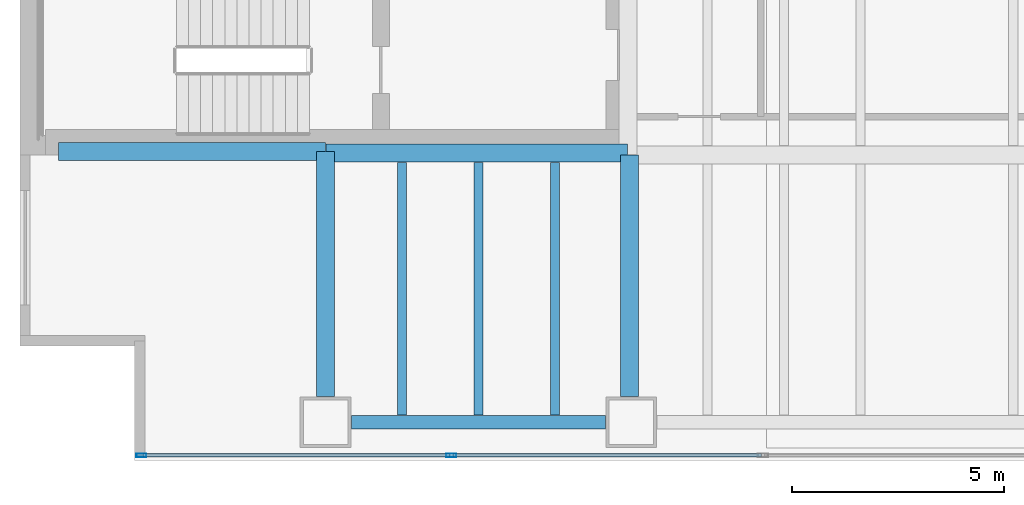
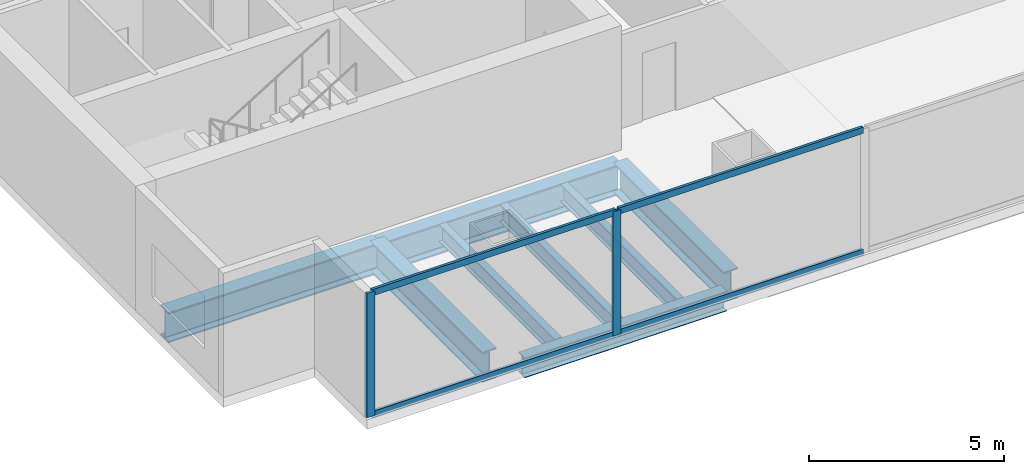
# One storey, part 2 of 34: 8 beams, 6 members, 1 element without a shape of its own.
"""IFC4 building model written with IfcOpenShell, lengths in metres."""

from ifc_helpers import new_model, si_unit, direction, frame, origin, origin_2d, place, context, subcontext, project, spatial, hollow_rectangle, i_section, extrude, material, material_profile, profile_set, type_object, element, aggregate, save


model = new_model("IFC4")

# Units and contexts
model_context = context("Model", 3, precision=1e-05, world=origin(), true_north=direction((0.0, 1.0)))
body_context = subcontext(model_context, "Body", "Model", "MODEL_VIEW")
ifc_project = project(units=[si_unit("LENGTHUNIT", "METRE"), si_unit("AREAUNIT", "SQUARE_METRE"), si_unit("VOLUMEUNIT", "CUBIC_METRE"), si_unit("PLANEANGLEUNIT", "RADIAN"), si_unit("MASSUNIT", "GRAM", prefix="KILO")], contexts=[model_context])

# Site, building, storey
site_placement = place(None, origin())
site = spatial("IfcSite", under=ifc_project, at=site_placement, CompositionType="ELEMENT")
building_placement = place(site_placement, origin())
building = spatial("IfcBuilding", under=site, at=building_placement, Name="Cobrela Telecom Tower", CompositionType="ELEMENT")
storey_placement = place(building_placement, frame((0.0, 0.0, 5.25)))
storey = spatial("IfcBuildingStorey", under=building, at=storey_placement, Name="L01", CompositionType="ELEMENT", Elevation=5.25)

# Beams
ifc_material_1 = material(Name="Steel ASTM A992 Grade 50", Category="steel")
ifc_material_profile_1 = material_profile(ifc_material_1, i_section(OverallWidth=0.424072265625, OverallDepth=0.947021484375, WebThickness=0.02392578125, FlangeThickness=0.042724609375, FilletRadius=0.02392578125, at=origin_2d()), Name="W36X302")
ifc_profile_set_1 = profile_set([ifc_material_profile_1], Name="Steel ASTM A992 Grade 50")
beam_type_1 = type_object("IfcBeamType", Name="BM-GIRD-01", PredefinedType="USERDEFINED", material=ifc_profile_set_1)
beam_1_placement = place(storey_placement, frame((0.905029296875, 7.280029296875, -0.7734375), z_axis=(1.0, 0.0, 0.0), x_axis=(0.0, 1.0, 0.0)))
element("IfcBeam", 1, at=beam_1_placement, inside=storey, type_object=beam_type_1, Name="L01 Primary Girder X10", ObjectType="GIRDER", PredefinedType="USERDEFINED", context=body_context, shape_type="SweptSolid", body=[
    extrude(i_section(OverallWidth=0.424072265625, OverallDepth=0.947021484375, WebThickness=0.02392578125, FlangeThickness=0.042724609375, FilletRadius=0.02392578125, at=origin_2d()), origin(), (0.0, 0.0, 1.0), 6.2900390625),
])
beam_2_placement = place(storey_placement, frame((7.205078125, 7.239990234375, -0.7734375), z_axis=(1.0, 0.0, 0.0), x_axis=(0.0, 1.0, 0.0)))
element("IfcBeam", 2, at=beam_2_placement, inside=storey, type_object=beam_type_1, Name="L01 Primary Girder X11", ObjectType="GIRDER", PredefinedType="USERDEFINED", context=body_context, shape_type="SweptSolid", body=[
    extrude(i_section(OverallWidth=0.424072265625, OverallDepth=0.947021484375, WebThickness=0.02392578125, FlangeThickness=0.042724609375, FilletRadius=0.02392578125, at=origin_2d()), origin(), (0.0, 0.0, 1.0), 7.10986328125),
])
beam_3_placement = place(storey_placement, frame((7.199951171875, 1.5048828125, -0.7734375), z_axis=(0.0, 1.0, 0.0), x_axis=(-1.0, 0.0, 0.0)))
element("IfcBeam", 3, at=beam_3_placement, inside=storey, type_object=beam_type_1, Name="L01 Primary Girder Y51", ObjectType="GIRDER", PredefinedType="USERDEFINED", context=body_context, shape_type="SweptSolid", body=[
    extrude(i_section(OverallWidth=0.424072265625, OverallDepth=0.947021484375, WebThickness=0.02392578125, FlangeThickness=0.042724609375, FilletRadius=0.02392578125, at=origin_2d()), origin(), (0.0, 0.0, 1.0), 5.77001953125),
])
beam_4_placement = place(storey_placement, frame((14.360107421875, 1.5048828125, -0.7734375), z_axis=(0.0, 1.0, 0.0), x_axis=(-1.0, 0.0, 0.0)))
element("IfcBeam", 4, at=beam_4_placement, inside=storey, type_object=beam_type_1, Name="L01 Primary Girder Y54", ObjectType="GIRDER", PredefinedType="USERDEFINED", context=body_context, shape_type="SweptSolid", body=[
    extrude(i_section(OverallWidth=0.424072265625, OverallDepth=0.947021484375, WebThickness=0.02392578125, FlangeThickness=0.042724609375, FilletRadius=0.02392578125, at=origin_2d()), origin(), (0.0, 0.0, 1.0), 5.690185546875),
])
ifc_material_profile_2 = material_profile(ifc_material_1, i_section(OverallWidth=0.212890625, OverallDepth=0.549072265625, WebThickness=0.0146484375, FlangeThickness=0.023681640625, FilletRadius=0.013916015625, at=origin_2d()), Name="W21X93")
ifc_profile_set_2 = profile_set([ifc_material_profile_2], Name="Steel ASTM A992 Grade 50")
beam_type_2 = type_object("IfcBeamType", Name="BM-JOIST-01", PredefinedType="JOIST", material=ifc_profile_set_2)
for number, where, z_axis, x_axis, name in (
    (5, (9.0, 1.069091796875, -0.574462890625), (0.0, 1.0, 0.0), (-1.0, 0.0, 0.0), "L01 Secondary Composite Floor Beam J04"),
    (6, (10.800048828125, 1.069091796875, -0.574462890625), (0.0, 1.0, 0.0), (-1.0, 0.0, 0.0), "L01 Secondary Composite Floor Beam J07"),
    (7, (12.60009765625, 1.069091796875, -0.574462890625), (0.0, 1.0, 0.0), (-1.0, 0.0, 0.0), "L01 Secondary Composite Floor Beam J10"),
):
    element("IfcBeam", number, at=place(storey_placement, frame(where, z_axis=z_axis, x_axis=x_axis)), inside=storey, type_object=beam_type_2, Name=name, PredefinedType="JOIST", context=body_context, shape_type="SweptSolid", body=[
        extrude(i_section(OverallWidth=0.212890625, OverallDepth=0.549072265625, WebThickness=0.0146484375, FlangeThickness=0.023681640625, FilletRadius=0.013916015625, at=origin_2d()), origin(), (0.0, 0.0, 1.0), 5.953857421875),
    ])
ifc_material_profile_3 = material_profile(ifc_material_1, i_section(OverallWidth=0.327880859375, OverallDepth=0.6220703125, WebThickness=0.015380859375, FlangeThickness=0.0244140625, FilletRadius=0.014892578125, at=origin_2d()), Name="W24X131")
ifc_profile_set_3 = profile_set([ifc_material_profile_3], Name="Steel ASTM A992 Grade 50")
beam_type_3 = type_object("IfcBeamType", Name="BM-SPAND-01", PredefinedType="SPANDREL", material=ifc_profile_set_3)
beam_5_placement = place(storey_placement, frame((7.804931640625, 0.89990234375, -0.611083984375), z_axis=(1.0, 0.0, 0.0), x_axis=(0.0, 1.0, 0.0)))
element("IfcBeam", 8, at=beam_5_placement, inside=storey, type_object=beam_type_3, Name="L01 Perimeter Spandrel X01", PredefinedType="SPANDREL", context=body_context, shape_type="SweptSolid", body=[
    extrude(i_section(OverallWidth=0.327880859375, OverallDepth=0.6220703125, WebThickness=0.015380859375, FlangeThickness=0.0244140625, FilletRadius=0.014892578125, at=origin_2d()), origin(), (0.0, 0.0, 1.0), 5.989990234375),
])

# Curtain wall, members
ifc_material_2 = material(Name="Anodized Bronze Aluminium 6063-T6", Category="aluminium")
curtain_wall_type = type_object("IfcCurtainWallType", Name="CW-SYS-CONC", PredefinedType="USERDEFINED", material=ifc_material_2)
curtain_wall_placement = place(storey_placement, origin())
curtain_wall = element("IfcCurtainWall", 9, at=curtain_wall_placement, inside=storey, type_object=curtain_wall_type, Name="L01 Unitised Bronze Curtain Wall 17", ObjectType="UNITISED CURTAIN WALL", PredefinedType="USERDEFINED")
ifc_material_profile_4 = material_profile(ifc_material_2, hollow_rectangle(XDim=0.080078125, YDim=0.239990234375, WallThickness=0.0048828125, at=origin_2d()), Name="ALU 80x240x5")
ifc_profile_set_4 = profile_set([ifc_material_profile_4], Name="Anodized Bronze Aluminium 6063-T6")
member_type_1 = type_object("IfcMemberType", Name="CW-SYS-CONC-MUL", PredefinedType="MULLION", material=ifc_profile_set_4)
member_1_placement = place(storey_placement, frame((10.161865234375, 0.1201171875, 0.0), z_axis=(0.0, 0.0, 1.0), x_axis=(0.0, -1.0, 0.0)))
member_1 = element("IfcMember", 10, at=member_1_placement, type_object=member_type_1, Name="CW-CONC mullion 11", PredefinedType="MULLION", context=body_context, shape_type="SweptSolid", body=[
    extrude(hollow_rectangle(XDim=0.080078125, YDim=0.239990234375, WallThickness=0.0048828125, at=origin_2d()), origin(), (0.0, 0.0, 1.0), 3.89990234375),
])
member_2_placement = place(storey_placement, frame((2.860107421875, 0.1201171875, 0.0), z_axis=(0.0, 0.0, 1.0), x_axis=(0.0, -1.0, 0.0)))
member_2 = element("IfcMember", 11, at=member_2_placement, type_object=member_type_1, Name="CW-CONC mullion 12", PredefinedType="MULLION", context=body_context, shape_type="SweptSolid", body=[
    extrude(hollow_rectangle(XDim=0.080078125, YDim=0.239990234375, WallThickness=0.0048828125, at=origin_2d()), origin(), (0.0, 0.0, 1.0), 3.89990234375),
])
ifc_material_profile_5 = material_profile(ifc_material_2, hollow_rectangle(XDim=0.080078125, YDim=0.199951171875, WallThickness=0.00390625, at=origin_2d()), Name="ALU 80x200x4")
ifc_profile_set_5 = profile_set([ifc_material_profile_5], Name="Anodized Bronze Aluminium 6063-T6")
member_type_2 = type_object("IfcMemberType", Name="CW-SYS-CONC-TRN", PredefinedType="USERDEFINED", material=ifc_profile_set_5)
member_3_placement = place(storey_placement, frame((17.463623046875, 0.1201171875, 0.0400390625), z_axis=(-1.0, 0.0, 0.0), x_axis=(0.0, -1.0, 0.0)))
member_3 = element("IfcMember", 12, at=member_3_placement, type_object=member_type_2, Name="CW-CONC transom 10.1", ObjectType="TRANSOM", PredefinedType="USERDEFINED", context=body_context, shape_type="SweptSolid", body=[
    extrude(hollow_rectangle(XDim=0.080078125, YDim=0.199951171875, WallThickness=0.00390625, at=origin_2d()), origin(), (0.0, 0.0, 1.0), 7.26171875),
])
member_4_placement = place(storey_placement, frame((17.463623046875, 0.1201171875, 3.860107421875), z_axis=(-1.0, 0.0, 0.0), x_axis=(0.0, -1.0, 0.0)))
member_4 = element("IfcMember", 13, at=member_4_placement, type_object=member_type_2, Name="CW-CONC transom 10.2", ObjectType="TRANSOM", PredefinedType="USERDEFINED", context=body_context, shape_type="SweptSolid", body=[
    extrude(hollow_rectangle(XDim=0.080078125, YDim=0.199951171875, WallThickness=0.00390625, at=origin_2d()), origin(), (0.0, 0.0, 1.0), 7.26171875),
])
member_5_placement = place(storey_placement, frame((10.121826171875, 0.1201171875, 0.0400390625), z_axis=(-1.0, 0.0, 0.0), x_axis=(0.0, -1.0, 0.0)))
member_5 = element("IfcMember", 14, at=member_5_placement, type_object=member_type_2, Name="CW-CONC transom 11.1", ObjectType="TRANSOM", PredefinedType="USERDEFINED", context=body_context, shape_type="SweptSolid", body=[
    extrude(hollow_rectangle(XDim=0.080078125, YDim=0.199951171875, WallThickness=0.00390625, at=origin_2d()), origin(), (0.0, 0.0, 1.0), 7.221923828125),
])
member_6_placement = place(storey_placement, frame((10.121826171875, 0.1201171875, 3.860107421875), z_axis=(-1.0, 0.0, 0.0), x_axis=(0.0, -1.0, 0.0)))
member_6 = element("IfcMember", 15, at=member_6_placement, type_object=member_type_2, Name="CW-CONC transom 11.2", ObjectType="TRANSOM", PredefinedType="USERDEFINED", context=body_context, shape_type="SweptSolid", body=[
    extrude(hollow_rectangle(XDim=0.080078125, YDim=0.199951171875, WallThickness=0.00390625, at=origin_2d()), origin(), (0.0, 0.0, 1.0), 7.221923828125),
])
aggregate(curtain_wall, [member_1, member_2, member_3, member_4, member_5, member_6])

save(model, "model.ifc")
